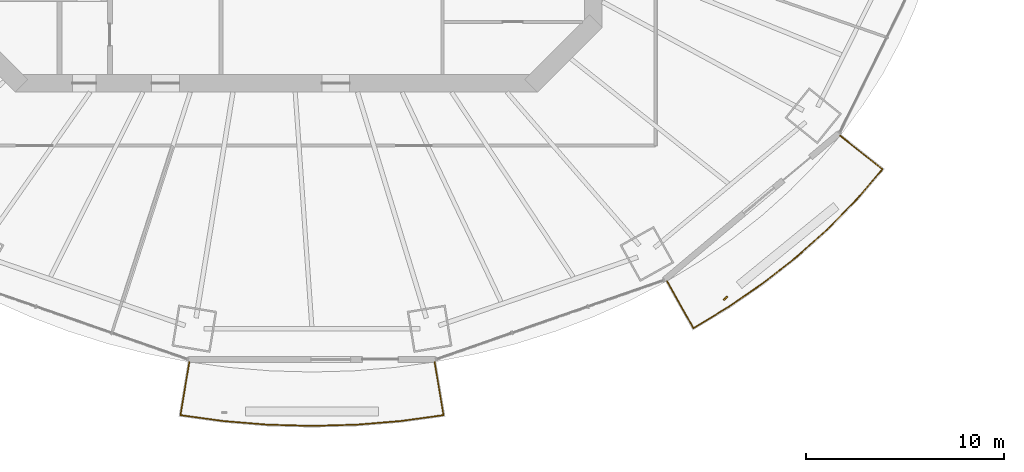
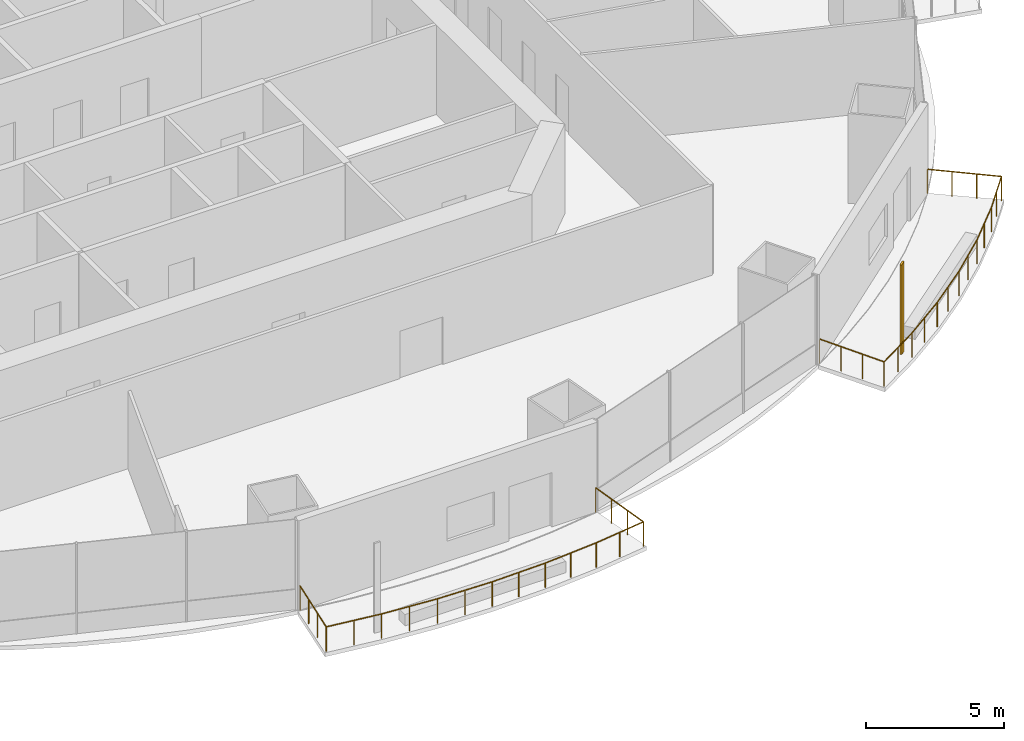
# One storey, part 16 of 20: 2 railings, 1 shading device.
"""IFC4 building model written with IfcOpenShell, lengths in metres."""

from ifc_helpers import new_model, si_unit, direction, frame, origin, origin_2d, place, context, subcontext, project, spatial, rectangle, circle, extrude, material, material_profile, profile_set, type_object, element, save


model = new_model("IFC4")

# Units and contexts
model_context = context("Model", 3, precision=1e-05, world=origin(), true_north=direction((0.0, 1.0)))
body_context = subcontext(model_context, "Body", "Model", "MODEL_VIEW")
ifc_project = project(units=[si_unit("LENGTHUNIT", "METRE"), si_unit("AREAUNIT", "SQUARE_METRE"), si_unit("VOLUMEUNIT", "CUBIC_METRE"), si_unit("PLANEANGLEUNIT", "RADIAN"), si_unit("MASSUNIT", "GRAM", prefix="KILO")], contexts=[model_context])

# Site, building, storey
site_placement = place(None, origin())
site = spatial("IfcSite", under=ifc_project, at=site_placement, CompositionType="ELEMENT")
building_placement = place(site_placement, origin())
building = spatial("IfcBuilding", under=site, at=building_placement, Name="Marenthal Gate Tower", CompositionType="ELEMENT")
storey_placement = place(building_placement, frame((0.0, 0.0, 190.10009765625)))
storey = spatial("IfcBuildingStorey", under=building, at=storey_placement, Name="L41", CompositionType="ELEMENT", Elevation=190.10009765625)

# Railings
ifc_material_1 = material(Name="Stainless steel", Category="steel")
railing_type = type_object("IfcRailingType", Name="Balcony guard 1100", PredefinedType="GUARDRAIL", material=ifc_material_1)
railing_1_placement = place(storey_placement, frame((7.990234375, -27.07568359375, 0.0)))
element("IfcRailing", 1, at=railing_1_placement, inside=storey, type_object=railing_type, Name="Balcony guard L41 bay 12", PredefinedType="GUARDRAIL", context=body_context, shape_type="SweptSolid", body=[
    extrude(circle(Radius=0.02392578125, at=origin_2d()), frame((0.0, 0.0, 1.076171875), z_axis=(0.16486141703, -0.98620691984, -0.01471816679), x_axis=(0.986313755456, 0.164879276438, 0.0)), (0.0, 0.0, 1.0), 2.720458984375),
    extrude(circle(Radius=0.02392578125, at=origin_2d()), frame((0.448486328125, -2.682861328125, 1.0361328125), z_axis=(-0.990664759644, -0.136320702755, 0.0), x_axis=(0.136320702755, -0.990664759644, 0.0)), (0.0, 0.0, 1.0), 2.165283203125),
    extrude(circle(Radius=0.02392578125, at=origin_2d()), frame((-1.696533203125, -2.97802734375, 1.0361328125), z_axis=(-0.996603137393, -0.082354031713, 0.0), x_axis=(0.082354031713, -0.996603137393, 0.0)), (0.0, 0.0, 1.0), 2.25),
    extrude(circle(Radius=0.02392578125, at=origin_2d()), frame((-3.93896484375, -3.163330078125, 1.0361328125), z_axis=(-0.999620829683, -0.027535374768, 0.0), x_axis=(0.027535374768, -0.999620829683, 0.0)), (0.0, 0.0, 1.0), 2.251953125),
    extrude(circle(Radius=0.02392578125, at=origin_2d()), frame((-6.190185546875, -3.225341796875, 1.0361328125), z_axis=(-0.999620829683, 0.027535374768, 0.0), x_axis=(-0.027535374768, -0.999620829683, 0.0)), (0.0, 0.0, 1.0), 2.251953125),
    extrude(circle(Radius=0.02392578125, at=origin_2d()), frame((-8.44140625, -3.163330078125, 1.0361328125), z_axis=(-0.996603137393, 0.082354031713, 0.0), x_axis=(-0.082354031713, -0.996603137393, 0.0)), (0.0, 0.0, 1.0), 2.25),
    extrude(circle(Radius=0.02392578125, at=origin_2d()), frame((-10.683837890625, -2.97802734375, 1.0361328125), z_axis=(-0.990664759644, 0.136320702755, 0.0), x_axis=(-0.136320702755, -0.990664759644, 0.0)), (0.0, 0.0, 1.0), 2.165283203125),
    extrude(circle(Radius=0.02392578125, at=origin_2d()), frame((-12.828857421875, -2.682861328125, 1.0361328125), z_axis=(0.164774109377, 0.986221507592, 0.014718384498), x_axis=(-0.986328347949, 0.164791959854, 0.0)), (0.0, 0.0, 1.0), 2.720458984375),
    extrude(circle(Radius=0.02099609375, at=origin_2d()), origin(), (0.0, 0.0, 1.0), 1.052001953125),
    extrude(circle(Radius=0.02099609375, at=origin_2d()), frame((0.1494140625, -0.894287109375, -0.013427734375)), (0.0, 0.0, 1.0), 1.052001953125),
    extrude(circle(Radius=0.02099609375, at=origin_2d()), frame((0.299072265625, -1.78857421875, -0.026611328125)), (0.0, 0.0, 1.0), 1.052001953125),
    extrude(circle(Radius=0.02099609375, at=origin_2d()), frame((0.448486328125, -2.682861328125, -0.0400390625)), (0.0, 0.0, 1.0), 1.052001953125),
    extrude(circle(Radius=0.02099609375, at=origin_2d()), frame((-0.6240234375, -2.83056640625, -0.0400390625)), (0.0, 0.0, 1.0), 1.052001953125),
    extrude(circle(Radius=0.02099609375, at=origin_2d()), frame((-1.696533203125, -2.97802734375, -0.0400390625)), (0.0, 0.0, 1.0), 1.052001953125),
    extrude(circle(Radius=0.02099609375, at=origin_2d()), frame((-2.81787109375, -3.07080078125, -0.0400390625)), (0.0, 0.0, 1.0), 1.052001953125),
    extrude(circle(Radius=0.02099609375, at=origin_2d()), frame((-3.93896484375, -3.163330078125, -0.0400390625)), (0.0, 0.0, 1.0), 1.052001953125),
    extrude(circle(Radius=0.02099609375, at=origin_2d()), frame((-5.064453125, -3.1943359375, -0.0400390625)), (0.0, 0.0, 1.0), 1.052001953125),
    extrude(circle(Radius=0.02099609375, at=origin_2d()), frame((-6.190185546875, -3.225341796875, -0.0400390625)), (0.0, 0.0, 1.0), 1.052001953125),
    extrude(circle(Radius=0.02099609375, at=origin_2d()), frame((-7.31591796875, -3.1943359375, -0.0400390625)), (0.0, 0.0, 1.0), 1.052001953125),
    extrude(circle(Radius=0.02099609375, at=origin_2d()), frame((-8.44140625, -3.163330078125, -0.0400390625)), (0.0, 0.0, 1.0), 1.052001953125),
    extrude(circle(Radius=0.02099609375, at=origin_2d()), frame((-9.5625, -3.07080078125, -0.0400390625)), (0.0, 0.0, 1.0), 1.052001953125),
    extrude(circle(Radius=0.02099609375, at=origin_2d()), frame((-10.683837890625, -2.97802734375, -0.0400390625)), (0.0, 0.0, 1.0), 1.052001953125),
    extrude(circle(Radius=0.02099609375, at=origin_2d()), frame((-11.75634765625, -2.83056640625, -0.0400390625)), (0.0, 0.0, 1.0), 1.052001953125),
    extrude(circle(Radius=0.02099609375, at=origin_2d()), frame((-12.828857421875, -2.682861328125, -0.0400390625)), (0.0, 0.0, 1.0), 1.052001953125),
    extrude(circle(Radius=0.02099609375, at=origin_2d()), frame((-12.679443359375, -1.78857421875, -0.026611328125)), (0.0, 0.0, 1.0), 1.052001953125),
    extrude(circle(Radius=0.02099609375, at=origin_2d()), frame((-12.530029296875, -0.894287109375, -0.013427734375)), (0.0, 0.0, 1.0), 1.052001953125),
    extrude(circle(Radius=0.02099609375, at=origin_2d()), frame((-12.380615234375, 0.0, 0.0)), (0.0, 0.0, 1.0), 1.052001953125),
])
railing_2_placement = place(storey_placement, frame((28.469482421875, -15.65234375, 0.0)))
element("IfcRailing", 2, at=railing_2_placement, inside=storey, type_object=railing_type, Name="Balcony guard L41 bay 14", PredefinedType="GUARDRAIL", context=body_context, shape_type="SweptSolid", body=[
    extrude(circle(Radius=0.02392578125, at=origin_2d()), frame((0.0, 0.0, 1.076171875), z_axis=(0.782654389214, -0.622282483065, -0.01471795893), x_axis=(0.622349892908, 0.782739171626, 0.0)), (0.0, 0.0, 1.0), 2.720458984375),
    extrude(circle(Radius=0.02392578125, at=origin_2d()), frame((2.129150390625, -1.69287109375, 1.0361328125), z_axis=(-0.650216061313, -0.7597493492, 0.0), x_axis=(0.7597493492, -0.650216061313, 0.0)), (0.0, 0.0, 1.0), 1.99267578125),
    extrude(circle(Radius=0.02392578125, at=origin_2d()), frame((0.83349609375, -3.206787109375, 1.0361328125), z_axis=(-0.698941095917, -0.715179239379, 0.0), x_axis=(0.715179239379, -0.698941095917, 0.0)), (0.0, 0.0, 1.0), 2.08984375),
    extrude(circle(Radius=0.02392578125, at=origin_2d()), frame((-0.627197265625, -4.701416015625, 1.0361328125), z_axis=(-0.744571425907, -0.667542801416, 0.0), x_axis=(0.667542801416, -0.744571425907, 0.0)), (0.0, 0.0, 1.0), 2.107666015625),
    extrude(circle(Radius=0.02392578125, at=origin_2d()), frame((-2.196533203125, -6.1083984375, 1.0361328125), z_axis=(-0.786051281146, -0.61816129239, 0.0), x_axis=(0.61816129239, -0.786051281146, 0.0)), (0.0, 0.0, 1.0), 2.1259765625),
    extrude(circle(Radius=0.02392578125, at=origin_2d()), frame((-3.86767578125, -7.422607421875, 1.0361328125), z_axis=(-0.823420107604, -0.567432221849, 0.0), x_axis=(0.567432221849, -0.823420107604, 0.0)), (0.0, 0.0, 1.0), 2.14404296875),
    extrude(circle(Radius=0.02392578125, at=origin_2d()), frame((-5.633056640625, -8.63916015625, 1.0361328125), z_axis=(-0.856237767515, -0.516581925236, 0.0), x_axis=(0.516581925236, -0.856237767515, 0.0)), (0.0, 0.0, 1.0), 2.080810546875),
    extrude(circle(Radius=0.02392578125, at=origin_2d()), frame((-7.414794921875, -9.714111328125, 1.0361328125), z_axis=(-0.489585880475, 0.871830841967, 0.014718988891), x_axis=(-0.871925297796, -0.48963892315, 0.0)), (0.0, 0.0, 1.0), 2.72021484375),
    extrude(circle(Radius=0.02099609375, at=origin_2d()), origin(), (0.0, 0.0, 1.0), 1.052001953125),
    extrude(circle(Radius=0.02099609375, at=origin_2d()), frame((0.709716796875, -0.564208984375, -0.013427734375)), (0.0, 0.0, 1.0), 1.052001953125),
    extrude(circle(Radius=0.02099609375, at=origin_2d()), frame((1.41943359375, -1.128662109375, -0.026611328125)), (0.0, 0.0, 1.0), 1.052001953125),
    extrude(circle(Radius=0.02099609375, at=origin_2d()), frame((2.129150390625, -1.69287109375, -0.0400390625)), (0.0, 0.0, 1.0), 1.052001953125),
    extrude(circle(Radius=0.02099609375, at=origin_2d()), frame((1.4814453125, -2.44970703125, -0.0400390625)), (0.0, 0.0, 1.0), 1.052001953125),
    extrude(circle(Radius=0.02099609375, at=origin_2d()), frame((0.83349609375, -3.206787109375, -0.0400390625)), (0.0, 0.0, 1.0), 1.052001953125),
    extrude(circle(Radius=0.02099609375, at=origin_2d()), frame((0.10302734375, -3.9541015625, -0.0400390625)), (0.0, 0.0, 1.0), 1.052001953125),
    extrude(circle(Radius=0.02099609375, at=origin_2d()), frame((-0.627197265625, -4.701416015625, -0.0400390625)), (0.0, 0.0, 1.0), 1.052001953125),
    extrude(circle(Radius=0.02099609375, at=origin_2d()), frame((-1.411865234375, -5.40478515625, -0.0400390625)), (0.0, 0.0, 1.0), 1.052001953125),
    extrude(circle(Radius=0.02099609375, at=origin_2d()), frame((-2.196533203125, -6.1083984375, -0.0400390625)), (0.0, 0.0, 1.0), 1.052001953125),
    extrude(circle(Radius=0.02099609375, at=origin_2d()), frame((-3.0322265625, -6.765625, -0.0400390625)), (0.0, 0.0, 1.0), 1.052001953125),
    extrude(circle(Radius=0.02099609375, at=origin_2d()), frame((-3.86767578125, -7.422607421875, -0.0400390625)), (0.0, 0.0, 1.0), 1.052001953125),
    extrude(circle(Radius=0.02099609375, at=origin_2d()), frame((-4.75048828125, -8.03076171875, -0.0400390625)), (0.0, 0.0, 1.0), 1.052001953125),
    extrude(circle(Radius=0.02099609375, at=origin_2d()), frame((-5.633056640625, -8.63916015625, -0.0400390625)), (0.0, 0.0, 1.0), 1.052001953125),
    extrude(circle(Radius=0.02099609375, at=origin_2d()), frame((-6.52392578125, -9.1767578125, -0.0400390625)), (0.0, 0.0, 1.0), 1.052001953125),
    extrude(circle(Radius=0.02099609375, at=origin_2d()), frame((-7.414794921875, -9.714111328125, -0.0400390625)), (0.0, 0.0, 1.0), 1.052001953125),
    extrude(circle(Radius=0.02099609375, at=origin_2d()), frame((-7.858642578125, -8.923583984375, -0.026611328125)), (0.0, 0.0, 1.0), 1.052001953125),
    extrude(circle(Radius=0.02099609375, at=origin_2d()), frame((-8.302734375, -8.133056640625, -0.013427734375)), (0.0, 0.0, 1.0), 1.052001953125),
    extrude(circle(Radius=0.02099609375, at=origin_2d()), frame((-8.74658203125, -7.342529296875, 0.0)), (0.0, 0.0, 1.0), 1.052001953125),
])

# Shading device
ifc_material_2 = material(Name="Terracotta", Category="masonry")
ifc_material_profile = material_profile(ifc_material_2, rectangle(XDim=0.25, YDim=0.080078125, at=origin_2d()), Name="Terracotta baguette 250x80")
ifc_profile_set = profile_set([ifc_material_profile], Name="Terracotta")
shading_device_type = type_object("IfcShadingDeviceType", Name="Terracotta BAGUETTE SCREEN 250x80", PredefinedType="USERDEFINED", material=ifc_profile_set)
shading_device_placement = place(storey_placement, frame((22.675537109375, -23.85498046875, -0.0400390625), z_axis=(0.0, 0.0, 1.0), x_axis=(0.765779593212, 0.64310311352, 0.0)))
element("IfcShadingDevice", 3, at=shading_device_placement, inside=storey, type_object=shading_device_type, Name="Terracotta BAGUETTE L41 bay 14L", ObjectType="BAGUETTE SCREEN", PredefinedType="USERDEFINED", context=body_context, shape_type="SweptSolid", body=[
    extrude(rectangle(XDim=0.25, YDim=0.080078125, at=origin_2d()), origin(), (0.0, 0.0, 1.0), 3.969970703125),
])

save(model, "model.ifc")
